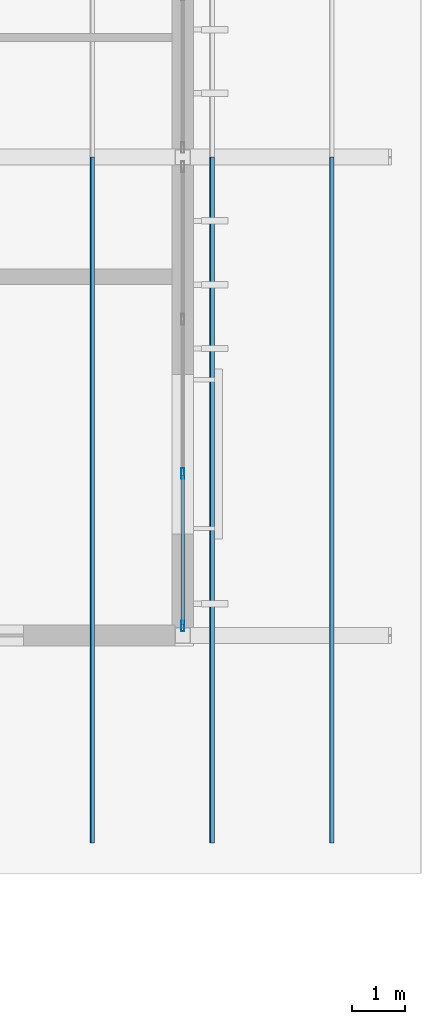
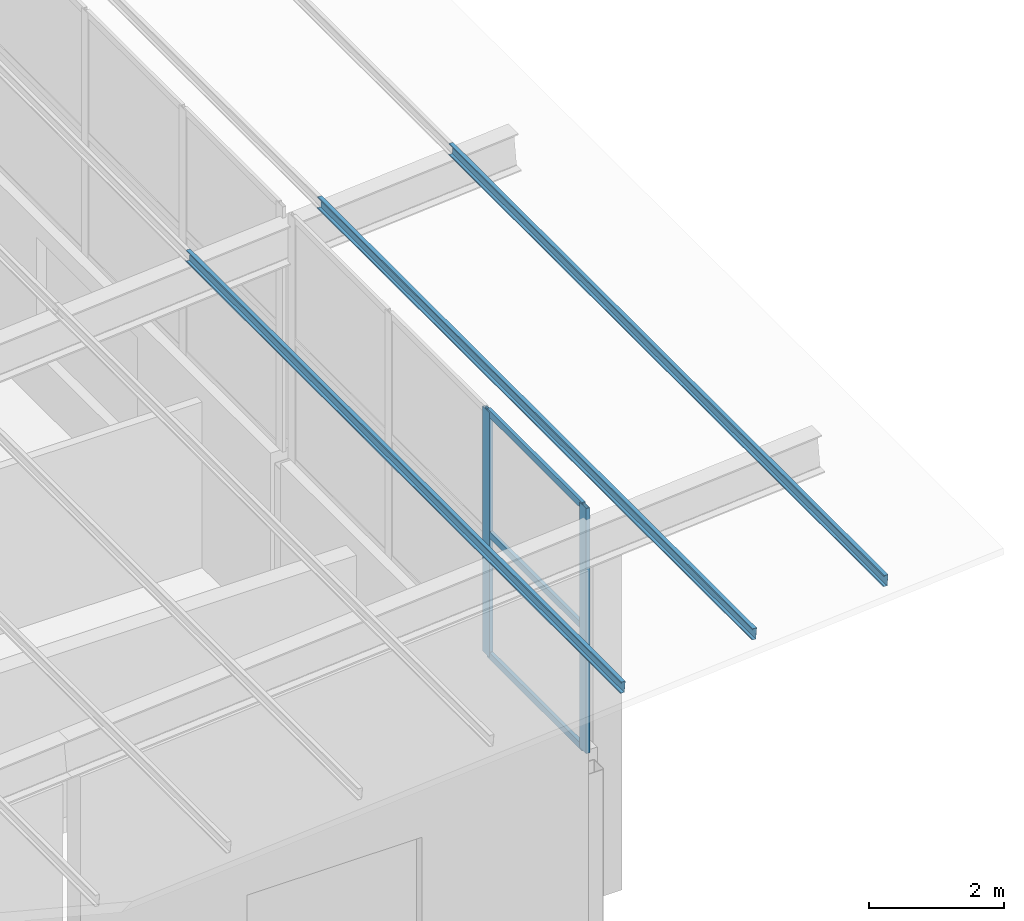
# One storey, part 24 of 85: 8 members, 1 element without a shape of its own.
"""IFC4 building model written with IfcOpenShell, lengths in metres."""

import ifcopenshell
import ifcopenshell.guid

model = None  # the IFC model being written
_history = None  # IfcOwnerHistory: only IFC2X3 demands one
_inside = {}  # id of a spatial element -> (the spatial element, [elements in it])
_under = {}  # id of a project, library or spatial element -> (it, [spatial elements below it])
_declared = {}  # id of a project -> (the project, [libraries it declares])
_typed = {}  # id of a type object -> (the type object, [elements of that type])
_made_of = {}  # id of a material, layer set ... -> (it, [elements and type objects made of it])


def new_model(schema):
    """Start an empty IFC model of exactly this schema.

    Asked for "IFC4X3", IfcOpenShell would pick the latest addendum, in which some entities
    have other attributes; the version numbers below select the first issue.
    IFC2X3 requires an IfcOwnerHistory on every rooted entity: one is made here for all.
    """
    global model, _history
    if schema == "IFC4X3":
        model = ifcopenshell.file(schema_version=(4, 3, 0, 0))
    else:
        model = ifcopenshell.file(schema=schema)
    _inside.clear()
    _under.clear()
    _declared.clear()
    _typed.clear()
    _made_of.clear()
    _history = None
    if model.schema == "IFC2X3":
        org = make("IfcOrganization", Name="unknown")
        user = make(
            "IfcPersonAndOrganization",
            ThePerson=make("IfcPerson", FamilyName="unknown"),
            TheOrganization=org,
        )
        app = make(
            "IfcApplication",
            ApplicationDeveloper=org,
            Version="unknown",
            ApplicationFullName="unknown",
            ApplicationIdentifier="unknown",
        )
        _history = make(
            "IfcOwnerHistory",
            OwningUser=user,
            OwningApplication=app,
            ChangeAction="ADDED",
            CreationDate=0,
        )
    return model


def make(cls, **values):
    """One entity of the class cls with the attributes given. An attribute that is None is left unset."""
    return model.create_entity(
        cls, **{name: value for name, value in values.items() if value is not None}
    )


def rooted(cls, **values):
    """An entity with a GlobalId (a new one), such as an element, a storey or a relation."""
    return make(cls, GlobalId=ifcopenshell.guid.new(), OwnerHistory=_history, **values)


def si_unit(unit_type, name, prefix=None):
    """IfcSIUnit, for example si_unit("LENGTHUNIT", "METRE", prefix="MILLI")."""
    return make("IfcSIUnit", UnitType=unit_type, Prefix=prefix, Name=name)


def assignment(units):
    """IfcUnitAssignment: the units of a project."""
    return None if units is None else make("IfcUnitAssignment", Units=units)


def point(xyz):
    """IfcCartesianPoint."""
    return None if xyz is None else make("IfcCartesianPoint", Coordinates=xyz)


def direction(xyz):
    """IfcDirection."""
    return None if xyz is None else make("IfcDirection", DirectionRatios=xyz)


def frame(location, z_axis=None, x_axis=None):
    """IfcAxis2Placement3D, a coordinate frame: its origin and axes. An axis left out is left unset."""
    return make(
        "IfcAxis2Placement3D",
        Location=point(location),
        Axis=direction(z_axis),
        RefDirection=direction(x_axis),
    )


def frame_2d(location, x_axis=None):
    """IfcAxis2Placement2D, a coordinate frame in the plane: its origin and x axis."""
    return make(
        "IfcAxis2Placement2D", Location=point(location), RefDirection=direction(x_axis)
    )


def origin():
    """The frame at (0, 0, 0) with its axes left unset."""
    return frame((0.0, 0.0, 0.0))


def origin_2d():
    """The frame at (0, 0) in the plane with its x axis left unset."""
    return frame_2d((0.0, 0.0))


def place(relative_to, where):
    """IfcLocalPlacement: puts the frame where relative to a parent placement (None: the world)."""
    return make(
        "IfcLocalPlacement", PlacementRelTo=relative_to, RelativePlacement=where
    )


def context(
    kind, dimensions, precision=None, world=None, true_north=None, identifier=None
):
    """IfcGeometricRepresentationContext, for example the 3D "Model" context."""
    return make(
        "IfcGeometricRepresentationContext",
        ContextIdentifier=identifier,
        ContextType=kind,
        CoordinateSpaceDimension=dimensions,
        Precision=precision,
        WorldCoordinateSystem=world,
        TrueNorth=true_north,
    )


def subcontext(parent, identifier, kind, view, scale=None):
    """IfcGeometricRepresentationSubContext, for example "Body" below "Model"."""
    return make(
        "IfcGeometricRepresentationSubContext",
        ContextIdentifier=identifier,
        ContextType=kind,
        ParentContext=parent,
        TargetScale=scale,
        TargetView=view,
    )


def project(units=None, contexts=None):
    """IfcProject with its units and contexts."""
    return rooted(
        "IfcProject",
        Name="project",
        RepresentationContexts=contexts,
        UnitsInContext=assignment(units),
    )


def spatial(cls, under=None, at=None, **own):
    """A site, building, storey or space (cls), placed at a placement, below another one or the project."""
    s = rooted(cls, ObjectPlacement=at, **own)
    if under is not None:
        _under.setdefault(under.id(), (under, []))[1].append(s)
    return s


def polyline(points):
    """IfcPolyline through the points."""
    return make("IfcPolyline", Points=[point(p) for p in points])


def profile(cls, at=None, kind="AREA", **sizes):
    """A parametric profile (cls). Its sizes go by their IFC names, for example OverallWidth=200.0."""
    return make(cls, ProfileType=kind, Position=at, **sizes)


def hollow_rectangle(**sizes):
    """IfcRectangleHollowProfileDef."""
    return profile("IfcRectangleHollowProfileDef", **sizes)


def outline(outer, holes=None, kind="AREA"):
    """IfcArbitraryClosedProfileDef: a profile drawn as a closed curve; with holes, ...WithVoids."""
    if holes is None:
        return make("IfcArbitraryClosedProfileDef", ProfileType=kind, OuterCurve=outer)
    return make(
        "IfcArbitraryProfileDefWithVoids",
        ProfileType=kind,
        OuterCurve=outer,
        InnerCurves=holes,
    )


def extrude(swept, where, along, depth):
    """IfcExtrudedAreaSolid: the profile swept, set in the frame where, extruded along a direction by depth."""
    return make(
        "IfcExtrudedAreaSolid",
        SweptArea=swept,
        Position=where,
        ExtrudedDirection=direction(along),
        Depth=depth,
    )


def shape(context_of_items, identifier, shape_type, items):
    """IfcShapeRepresentation: the items that make up one representation, for example the "Body"."""
    return make(
        "IfcShapeRepresentation",
        ContextOfItems=context_of_items,
        RepresentationIdentifier=identifier,
        RepresentationType=shape_type,
        Items=items,
    )


def material(Name=None, Category=None):
    """IfcMaterial."""
    return make("IfcMaterial", Name=Name, Category=Category)


def layer(
    of_material, thickness, ventilated=None, Name=None, Category=None, Priority=None
):
    """IfcMaterialLayer: one layer of a wall or slab, of a material (None: an air gap)."""
    return make(
        "IfcMaterialLayer",
        Material=of_material,
        LayerThickness=thickness,
        IsVentilated=ventilated,
        Name=Name,
        Category=Category,
        Priority=Priority,
    )


def layer_set(layers, Name=None):
    """IfcMaterialLayerSet."""
    return make("IfcMaterialLayerSet", MaterialLayers=layers, LayerSetName=Name)


def material_profile(
    of_material, cross_section, Name=None, Category=None, Priority=None
):
    """IfcMaterialProfile: a cross section and its material."""
    return make(
        "IfcMaterialProfile",
        Name=Name,
        Material=of_material,
        Profile=cross_section,
        Priority=Priority,
        Category=Category,
    )


def profile_set(profiles, Name=None, composite=None):
    """IfcMaterialProfileSet."""
    return make(
        "IfcMaterialProfileSet",
        Name=Name,
        MaterialProfiles=profiles,
        CompositeProfile=composite,
    )


def made_of(thing, what):
    """Note that an element or type object is made of a material, layer set ...; save() writes the relation."""
    if what is not None:
        _made_of.setdefault(what.id(), (what, []))[1].append(thing)
    return thing


def type_object(cls, material=None, **own):
    """A type object (cls), such as IfcWallType, which elements share."""
    return made_of(rooted(cls, **own), material)


def element(
    cls,
    number,
    at=None,
    inside=None,
    cuts=None,
    type_object=None,
    material=None,
    context=None,
    identifier="Body",
    shape_type=None,
    held_by="IfcProductDefinitionShape",
    body=None,
    shapes=None,
    **own,
):
    """One element of the class cls, such as IfcWall. Its Tag is "e" and its number.

    at: its placement. inside: the storey or other place that contains it. cuts: it is an
    opening in that element (IfcRelVoidsElement). A single representation is given by context,
    identifier, shape_type and body (its items); several are given by shapes. held_by: the class
    of the entity that holds the representations. save() writes the other relations.
    """
    e = rooted(cls, Tag="e%d" % number, ObjectPlacement=at, **own)
    if body is not None:
        shapes = [shape(context, identifier, shape_type, body)]
    if shapes is not None:
        e.Representation = make(held_by, Representations=shapes)
    if inside is not None:
        _inside.setdefault(inside.id(), (inside, []))[1].append(e)
    if cuts is not None:
        rooted(
            "IfcRelVoidsElement", RelatingBuildingElement=cuts, RelatedOpeningElement=e
        )
    if type_object is not None:
        _typed.setdefault(type_object.id(), (type_object, []))[1].append(e)
    return made_of(e, material)


def aggregate(whole, parts):
    """IfcRelAggregates: a whole, such as a stair, and the parts it consists of."""
    return rooted("IfcRelAggregates", RelatingObject=whole, RelatedObjects=parts)


def save(model, path):
    """Write the relations noted so far, then the file.

    IfcRelAggregates (storeys below a building ...), IfcRelContainedInSpatialStructure (elements
    in a storey), IfcRelDefinesByType, IfcRelAssociatesMaterial and IfcRelDeclares: one each for
    every whole, place, type object, material and project.
    """
    for whole, parts in _under.values():
        aggregate(whole, parts)
    for where, things in _inside.values():
        rooted(
            "IfcRelContainedInSpatialStructure",
            RelatedElements=things,
            RelatingStructure=where,
        )
    for kind, things in _typed.values():
        rooted("IfcRelDefinesByType", RelatedObjects=things, RelatingType=kind)
    for what, things in _made_of.values():
        rooted("IfcRelAssociatesMaterial", RelatedObjects=things, RelatingMaterial=what)
    for by, libraries in _declared.values():
        rooted("IfcRelDeclares", RelatingContext=by, RelatedDefinitions=libraries)
    model.write(path)


model = new_model("IFC4")

# Units and contexts
model_context = context("Model", 3, precision=1e-05, world=origin(), true_north=direction((0.0, 1.0)))
body_context = subcontext(model_context, "Body", "Model", "MODEL_VIEW")
ifc_project = project(units=[si_unit("LENGTHUNIT", "METRE"), si_unit("AREAUNIT", "SQUARE_METRE"), si_unit("VOLUMEUNIT", "CUBIC_METRE"), si_unit("PLANEANGLEUNIT", "RADIAN"), si_unit("MASSUNIT", "GRAM", prefix="KILO")], contexts=[model_context])

# Site, building, storey
site_placement = place(None, origin())
site = spatial("IfcSite", under=ifc_project, at=site_placement, CompositionType="ELEMENT")
building_placement = place(site_placement, origin())
building = spatial("IfcBuilding", under=site, at=building_placement, Name="Opaline Strait Convention Centre", CompositionType="ELEMENT")
storey_placement = place(building_placement, frame((0.0, 0.0, 17.0)))
storey = spatial("IfcBuildingStorey", under=building, at=storey_placement, Name="L03", CompositionType="ELEMENT", Elevation=17.0)

# Curtain wall, members
ifc_material_1 = material(Name="Aluminium framed double glazing", Category="aluminium")
ifc_layer = layer(ifc_material_1, 0.199951171875)
ifc_layer_set = layer_set([ifc_layer], Name="Aluminium framed double glazing")
curtain_wall_type = type_object("IfcCurtainWallType", Name="Curtain wall 3000 module unitised", PredefinedType="NOTDEFINED", material=ifc_layer_set)
curtain_wall_placement = place(storey_placement, origin())
curtain_wall = element("IfcCurtainWall", 1, at=curtain_wall_placement, inside=storey, type_object=curtain_wall_type, Name="Clerestory curtain wall E L03 41/L", PredefinedType="NOTDEFINED")
ifc_material_2 = material(Name="Aluminium alloy 6063", Category="aluminium")
ifc_material_profile_1 = material_profile(ifc_material_2, hollow_rectangle(XDim=0.06005859375, YDim=0.199951171875, WallThickness=0.00390625, at=origin_2d()), Name="MULLION 60x200x4")
ifc_profile_set_1 = profile_set([ifc_material_profile_1], Name="Aluminium alloy 6063")
member_type_1 = type_object("IfcMemberType", Name="Curtain wall mullion 60 x 200", PredefinedType="MULLION", material=ifc_profile_set_1)
member_1_placement = place(storey_placement, frame((360.0, 90.179931640625, 3.300048828125), z_axis=(0.0, 0.0, 1.0), x_axis=(-1.0, 0.0, 0.0)))
member_1 = element("IfcMember", 2, at=member_1_placement, type_object=member_type_1, Name="MCWR1 mullion 1", PredefinedType="MULLION", context=body_context, shape_type="SweptSolid", body=[
    extrude(hollow_rectangle(XDim=0.06005859375, YDim=0.199951171875, WallThickness=0.00390625, at=origin_2d()), origin(), (0.0, 0.0, 1.0), 4.43603515625),
])
member_2_placement = place(storey_placement, frame((360.0, 93.050048828125, 3.300048828125), z_axis=(0.0, 0.0, 1.0), x_axis=(-1.0, 0.0, 0.0)))
member_2 = element("IfcMember", 3, at=member_2_placement, type_object=member_type_1, Name="MCWR1 mullion 2", PredefinedType="MULLION", context=body_context, shape_type="SweptSolid", body=[
    extrude(hollow_rectangle(XDim=0.06005859375, YDim=0.199951171875, WallThickness=0.00390625, at=origin_2d()), origin(), (0.0, 0.0, 1.0), 4.43603515625),
])
ifc_material_profile_2 = material_profile(ifc_material_2, hollow_rectangle(XDim=0.06005859375, YDim=0.1201171875, WallThickness=0.0029296875, at=origin_2d()), Name="TRANSOM 60x120x3")
ifc_profile_set_2 = profile_set([ifc_material_profile_2], Name="Aluminium alloy 6063")
member_type_2 = type_object("IfcMemberType", Name="Curtain wall transom 60 x 120", PredefinedType="USERDEFINED", material=ifc_profile_set_2)
member_3_placement = place(storey_placement, frame((360.0, 90.2099609375, 3.330078125), z_axis=(0.0, 1.0, 0.0), x_axis=(-1.0, 0.0, 0.0)))
member_3 = element("IfcMember", 4, at=member_3_placement, type_object=member_type_2, Name="MCWR1 transom 1.1", ObjectType="TRANSOM", PredefinedType="USERDEFINED", context=body_context, shape_type="SweptSolid", body=[
    extrude(hollow_rectangle(XDim=0.06005859375, YDim=0.1201171875, WallThickness=0.0029296875, at=origin_2d()), origin(), (0.0, 0.0, 1.0), 2.81005859375),
])
member_4_placement = place(storey_placement, frame((360.0, 90.2099609375, 5.51806640625), z_axis=(0.0, 1.0, 0.0), x_axis=(-1.0, 0.0, 0.0)))
member_4 = element("IfcMember", 5, at=member_4_placement, type_object=member_type_2, Name="MCWR1 transom 1.2", ObjectType="TRANSOM", PredefinedType="USERDEFINED", context=body_context, shape_type="SweptSolid", body=[
    extrude(hollow_rectangle(XDim=0.06005859375, YDim=0.1201171875, WallThickness=0.0029296875, at=origin_2d()), origin(), (0.0, 0.0, 1.0), 2.81005859375),
])
member_5_placement = place(storey_placement, frame((360.0, 90.2099609375, 7.7060546875), z_axis=(0.0, 1.0, 0.0), x_axis=(-1.0, 0.0, 0.0)))
member_5 = element("IfcMember", 6, at=member_5_placement, type_object=member_type_2, Name="MCWR1 transom 1.3", ObjectType="TRANSOM", PredefinedType="USERDEFINED", context=body_context, shape_type="SweptSolid", body=[
    extrude(hollow_rectangle(XDim=0.06005859375, YDim=0.1201171875, WallThickness=0.0029296875, at=origin_2d()), origin(), (0.0, 0.0, 1.0), 2.81005859375),
])
aggregate(curtain_wall, [member_1, member_2, member_3, member_4, member_5])

# Members
ifc_material_3 = material(Name="Steel Q355B", Category="steel")
ifc_material_profile_3 = material_profile(ifc_material_3, outline(polyline([(-0.034912109375, -0.10009765625), (0.034912109375, -0.10009765625), (0.034912109375, -0.080078125), (0.032470703125, -0.080078125), (0.032470703125, -0.097412109375), (-0.032470703125, -0.097412109375), (-0.032470703125, 0.097412109375), (0.032470703125, 0.097412109375), (0.032470703125, 0.080078125), (0.034912109375, 0.080078125), (0.034912109375, 0.10009765625), (-0.034912109375, 0.10009765625), (-0.034912109375, -0.10009765625)])), Name="C 200x70x20x2.5")
ifc_profile_set_3 = profile_set([ifc_material_profile_3], Name="Steel Q355B")
member_type_3 = type_object("IfcMemberType", Name="Roof purlin C 200x70x20x2.5", PredefinedType="PURLIN", material=ifc_profile_set_3)
for number, where, z_axis, x_axis, name in (
    (7, (358.300048828125, 86.10009765625, 7.501953125), (0.0, 1.0, 0.0), (-0.996917333733, 0.0, 0.078459095728), "MRP1 purlin E wing 371"),
    (8, (360.550048828125, 86.10009765625, 7.678955078125), (0.0, 1.0, 0.0), (-0.996917333733, 0.0, 0.078459095728), "MRP1 purlin E wing 381"),
    (9, (362.800048828125, 86.10009765625, 7.856201171875), (0.0, 1.0, 0.0), (-0.996917333733, 0.0, 0.078459095728), "MRP1 purlin E wing 391"),
):
    element("IfcMember", number, at=place(storey_placement, frame(where, z_axis=z_axis, x_axis=x_axis)), inside=storey, type_object=member_type_3, Name=name, PredefinedType="PURLIN", context=body_context, shape_type="SweptSolid", body=[
        extrude(outline(polyline([(-0.034912109375, -0.10009765625), (0.034912109375, -0.10009765625), (0.034912109375, -0.080078125), (0.032470703125, -0.080078125), (0.032470703125, -0.097412109375), (-0.032470703125, -0.097412109375), (-0.032470703125, 0.097412109375), (0.032470703125, 0.097412109375), (0.032470703125, 0.080078125), (0.034912109375, 0.080078125), (0.034912109375, 0.10009765625), (-0.034912109375, 0.10009765625), (-0.034912109375, -0.10009765625)])), origin(), (0.0, 0.0, 1.0), 12.89990234375),
    ])

save(model, "model.ifc")
